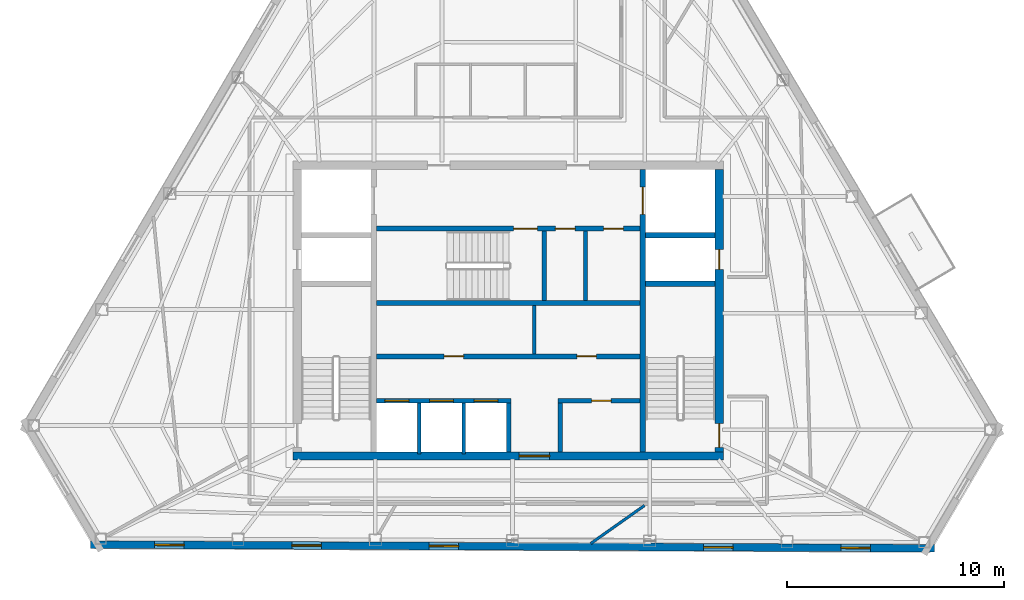
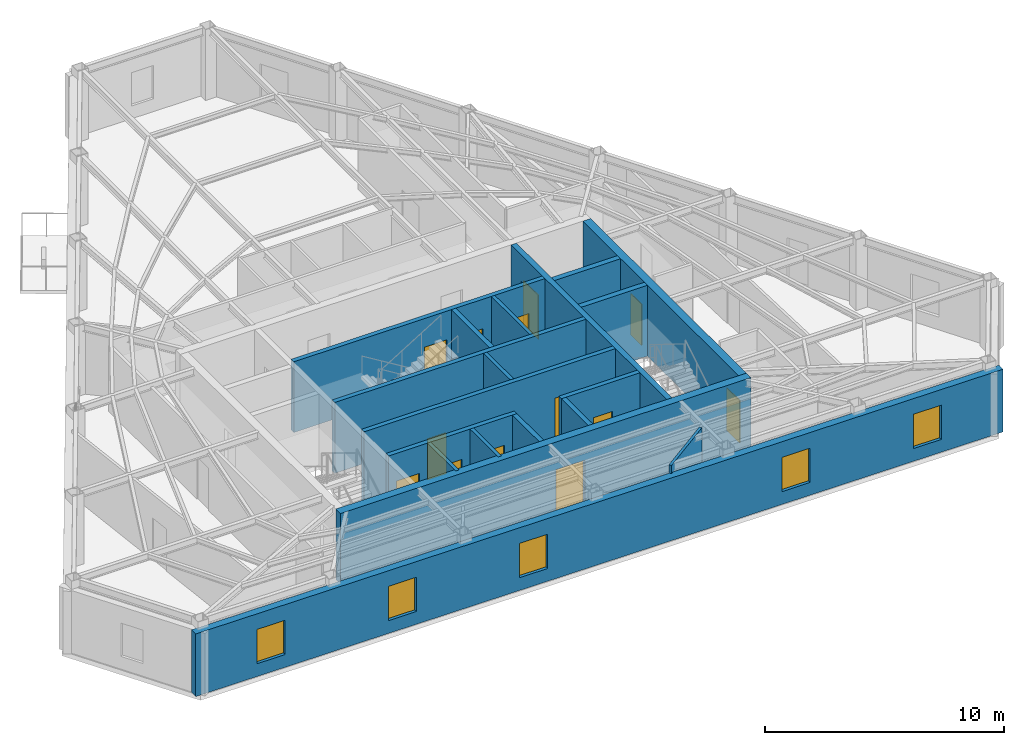
# One storey, part 5 of 9: 19 walls, 13 doors, 5 windows, 18 openings.
"""IFC4 building model written with IfcOpenShell, lengths in metres."""

from ifc_helpers import new_model, si_unit, direction, frame, frame_2d, origin, place, context, subcontext, project, spatial, rectangle, extrude, material, layer, layer_set, type_object, element, fill, save


model = new_model("IFC4")

# Units and contexts
model_context = context("Model", 3, precision=1e-05, world=origin(), true_north=direction((0.0, 1.0)))
body_context = subcontext(model_context, "Body", "Model", "MODEL_VIEW")
ifc_project = project(units=[si_unit("LENGTHUNIT", "METRE"), si_unit("AREAUNIT", "SQUARE_METRE"), si_unit("VOLUMEUNIT", "CUBIC_METRE"), si_unit("PLANEANGLEUNIT", "RADIAN"), si_unit("MASSUNIT", "GRAM", prefix="KILO")], contexts=[model_context])

# Site, building, storey
site_placement = place(None, origin())
site = spatial("IfcSite", under=ifc_project, at=site_placement, CompositionType="ELEMENT")
building_placement = place(site_placement, origin())
building = spatial("IfcBuilding", under=site, at=building_placement, Name="Kavelnor Concourse Tower", CompositionType="ELEMENT")
storey_placement = place(building_placement, frame((0.0, 0.0, 270.300048828125)))
storey = spatial("IfcBuildingStorey", under=building, at=storey_placement, Name="L68", CompositionType="ELEMENT", Elevation=270.300048828125)

# Wall, opening, door
ifc_material_1 = material(Name="Concrete C50/60", Category="concrete")
ifc_layer_1 = layer(ifc_material_1, 0.3798828125, Name="Concrete C50/60")
ifc_layer_set_1 = layer_set([ifc_layer_1], Name="Concrete C50/60")
wall_type_1 = type_object("IfcWallType", Name="WL-CORE-Z4-380", PredefinedType="SOLIDWALL", material=ifc_layer_set_1)
wall_1_placement = place(storey_placement, frame((28.10009765625, 9.409912109375, 0.0), z_axis=(0.0, 0.0, 1.0), x_axis=(1.0, 0.0, 0.0)))
wall_1 = element("IfcWall", 1, at=wall_1_placement, inside=storey, type_object=wall_type_1, Name="L68 Central Core South Shear Wall", PredefinedType="SOLIDWALL", context=body_context, shape_type="SweptSolid", body=[
    extrude(rectangle(XDim=19.7998046875, YDim=0.3798828125, at=frame_2d((9.89990234375, 0.0))), origin(), (0.0, 0.0, 1.0), 3.60986328125),
])
opening_1_placement = place(wall_1_placement, frame((10.39990234375, 0.0, 0.0)))
opening_1 = element("IfcOpeningElement", 2, at=opening_1_placement, cuts=wall_1, Name="Opening SD-140", PredefinedType="OPENING", context=body_context, shape_type="SweptSolid", body=[
    extrude(rectangle(XDim=1.39990234375, YDim=2.199951171875, at=frame_2d((0.699951171875, 1.10009765625))), frame((0.0, 0.199951171875, 0.0), z_axis=(0.0, -1.0, 0.0), x_axis=(1.0, 0.0, 0.0)), (0.0, 0.0, 1.0), 0.39990234375),
])
ifc_material_2 = material(Name="Solid-core hardwood timber", Category="wood")
door_type_1 = type_object("IfcDoorType", Name="DR-SUITE-ENTRY-1400", OperationType="NOTDEFINED", PredefinedType="DOOR", material=ifc_material_2)
door_1_placement = place(opening_1_placement, origin())
door_1 = element("IfcDoor", 3, at=door_1_placement, inside=storey, type_object=door_type_1, Name="L68 Passenger Lift Lobby Entry Door", OperationType="SINGLE_SWING_LEFT", OverallHeight=2.199951171875, OverallWidth=1.39990234375, PredefinedType="DOOR", context=body_context, shape_type="SweptSolid", body=[
    extrude(rectangle(XDim=1.39990234375, YDim=2.199951171875, at=frame_2d((0.699951171875, 1.10009765625))), frame((0.0, 0.02490234375, 0.0), z_axis=(0.0, -1.0, 0.0), x_axis=(1.0, 0.0, 0.0)), (0.0, 0.0, 1.0), 0.050048828125),
])
fill(opening_1, door_1)

# Wall, openings, doors
wall_2_placement = place(storey_placement, frame((47.7099609375, 9.60009765625, 0.0), z_axis=(0.0, 0.0, 1.0), x_axis=(0.0, 1.0, 0.0)))
wall_2 = element("IfcWall", 4, at=wall_2_placement, inside=storey, type_object=wall_type_1, Name="L68 Central Core East Shear Wall", PredefinedType="SOLIDWALL", context=body_context, shape_type="SweptSolid", body=[
    extrude(rectangle(XDim=13.0, YDim=0.3798828125, at=frame_2d((6.5, 0.0))), origin(), (0.0, 0.0, 1.0), 3.60986328125),
])
opening_2_placement = place(wall_2_placement, frame((0.199951171875, 0.0, 0.0)))
opening_2 = element("IfcOpeningElement", 5, at=opening_2_placement, cuts=wall_2, Name="Opening FD-110", PredefinedType="OPENING", context=body_context, shape_type="SweptSolid", body=[
    extrude(rectangle(XDim=1.10009765625, YDim=2.14990234375, at=frame_2d((0.550048828125, 1.074951171875))), frame((0.0, 0.199951171875, 0.0), z_axis=(0.0, -1.0, 0.0), x_axis=(1.0, 0.0, 0.0)), (0.0, 0.0, 1.0), 0.39990234375),
])
opening_3_placement = place(wall_2_placement, frame((8.39990234375, 0.0, 0.0)))
opening_3 = element("IfcOpeningElement", 6, at=opening_3_placement, cuts=wall_2, Name="Opening FD-090", PredefinedType="OPENING", context=body_context, shape_type="SweptSolid", body=[
    extrude(rectangle(XDim=0.89990234375, YDim=2.10009765625, at=frame_2d((0.449951171875, 1.050048828125))), frame((0.0, 0.199951171875, 0.0), z_axis=(0.0, -1.0, 0.0), x_axis=(1.0, 0.0, 0.0)), (0.0, 0.0, 1.0), 0.39990234375),
])
ifc_material_3 = material(Name="Steel Grade 350", Category="steel")
door_type_2 = type_object("IfcDoorType", Name="DR-RISER-FIRE-900", OperationType="NOTDEFINED", PredefinedType="DOOR", material=ifc_material_3)
door_2_placement = place(opening_3_placement, origin())
door_2 = element("IfcDoor", 7, at=door_2_placement, inside=storey, type_object=door_type_2, Name="L68 East Riser Access Door", OperationType="SINGLE_SWING_LEFT", OverallHeight=2.10009765625, OverallWidth=0.89990234375, PredefinedType="DOOR", context=body_context, shape_type="SweptSolid", body=[
    extrude(rectangle(XDim=0.89990234375, YDim=2.10009765625, at=frame_2d((0.449951171875, 1.050048828125))), frame((0.0, 0.02490234375, 0.0), z_axis=(0.0, -1.0, 0.0), x_axis=(1.0, 0.0, 0.0)), (0.0, 0.0, 1.0), 0.050048828125),
])
fill(opening_3, door_2)
door_type_3 = type_object("IfcDoorType", Name="DR-STAIR-FIRE-1100", OperationType="NOTDEFINED", PredefinedType="DOOR", material=ifc_material_3)
door_3_placement = place(opening_2_placement, origin())
door_3 = element("IfcDoor", 8, at=door_3_placement, inside=storey, type_object=door_type_3, Name="L68 Stair ST2 Fire Door", OperationType="SINGLE_SWING_RIGHT", OverallHeight=2.14990234375, OverallWidth=1.10009765625, PredefinedType="DOOR", context=body_context, shape_type="SweptSolid", body=[
    extrude(rectangle(XDim=1.10009765625, YDim=2.14990234375, at=frame_2d((0.550048828125, 1.074951171875))), frame((0.0, 0.02490234375, 0.0), z_axis=(0.0, -1.0, 0.0), x_axis=(1.0, 0.0, 0.0)), (0.0, 0.0, 1.0), 0.050048828125),
])
fill(opening_2, door_3)

# Wall, openings, windows
ifc_material_4 = material(Name="Red-ochre clay face brick masonry", Category="masonry")
ifc_layer_2 = layer(ifc_material_4, 0.35009765625, Name="Red-ochre clay face brick masonry")
ifc_layer_set_2 = layer_set([ifc_layer_2], Name="Red-ochre clay face brick masonry")
wall_type_2 = type_object("IfcWallType", Name="WL-EXT-RED-BRICK-PIER-350", PredefinedType="STANDARD", material=ifc_layer_set_2)
wall_3_placement = place(storey_placement, frame((57.61279296875, 5.165283203125, 0.0), z_axis=(0.0, 0.0, 1.0), x_axis=(-0.99999050908, 0.004356805123, 0.0)))
wall_3 = element("IfcWall", 9, at=wall_3_placement, inside=storey, type_object=wall_type_2, Name="L68 Exterior Brick Facade Wall E3", PredefinedType="STANDARD", context=body_context, shape_type="SweptSolid", body=[
    extrude(rectangle(XDim=38.83349609375, YDim=0.35009765625, at=frame_2d((19.416748046875, 0.0))), origin(), (0.0, 0.0, 1.0), 3.196044921875),
])
opening_4_placement = place(wall_3_placement, frame((34.529296875, 0.0, 0.64990234375)))
opening_4 = element("IfcOpeningElement", 10, at=opening_4_placement, cuts=wall_3, Name="Opening W-04", PredefinedType="OPENING", context=body_context, shape_type="SweptSolid", body=[
    extrude(rectangle(XDim=1.35009765625, YDim=1.75, at=frame_2d((0.675048828125, 0.875))), frame((0.0, 0.18505859375, 0.0), z_axis=(0.0, -1.0, 0.0), x_axis=(1.0, 0.0, 0.0)), (0.0, 0.0, 1.0), 0.3701171875),
])
opening_5_placement = place(wall_3_placement, frame((28.215087890625, 0.0, 0.64990234375)))
opening_5 = element("IfcOpeningElement", 11, at=opening_5_placement, cuts=wall_3, Name="Opening W-04", PredefinedType="OPENING", context=body_context, shape_type="SweptSolid", body=[
    extrude(rectangle(XDim=1.35009765625, YDim=1.75, at=frame_2d((0.675048828125, 0.875))), frame((0.0, 0.18505859375, 0.0), z_axis=(0.0, -1.0, 0.0), x_axis=(1.0, 0.0, 0.0)), (0.0, 0.0, 1.0), 0.3701171875),
])
opening_6_placement = place(wall_3_placement, frame((21.90087890625, 0.0, 0.64990234375)))
opening_6 = element("IfcOpeningElement", 12, at=opening_6_placement, cuts=wall_3, Name="Opening W-04", PredefinedType="OPENING", context=body_context, shape_type="SweptSolid", body=[
    extrude(rectangle(XDim=1.35009765625, YDim=1.75, at=frame_2d((0.675048828125, 0.875))), frame((0.0, 0.18505859375, 0.0), z_axis=(0.0, -1.0, 0.0), x_axis=(1.0, 0.0, 0.0)), (0.0, 0.0, 1.0), 0.3701171875),
])
opening_7_placement = place(wall_3_placement, frame((9.2724609375, 0.0, 0.64990234375)))
opening_7 = element("IfcOpeningElement", 13, at=opening_7_placement, cuts=wall_3, Name="Opening W-04", PredefinedType="OPENING", context=body_context, shape_type="SweptSolid", body=[
    extrude(rectangle(XDim=1.35009765625, YDim=1.75, at=frame_2d((0.675048828125, 0.875))), frame((0.0, 0.18505859375, 0.0), z_axis=(0.0, -1.0, 0.0), x_axis=(1.0, 0.0, 0.0)), (0.0, 0.0, 1.0), 0.3701171875),
])
opening_8_placement = place(wall_3_placement, frame((2.95849609375, 0.0, 0.64990234375)))
opening_8 = element("IfcOpeningElement", 14, at=opening_8_placement, cuts=wall_3, Name="Opening W-04", PredefinedType="OPENING", context=body_context, shape_type="SweptSolid", body=[
    extrude(rectangle(XDim=1.35009765625, YDim=1.75, at=frame_2d((0.675048828125, 0.875))), frame((0.0, 0.18505859375, 0.0), z_axis=(0.0, -1.0, 0.0), x_axis=(1.0, 0.0, 0.0)), (0.0, 0.0, 1.0), 0.3701171875),
])
ifc_material_5 = material(Name="Double low-E argon insulated glazing", Category="glass")
window_type = type_object("IfcWindowType", Name="WIN-PIER-Z4-1350", PartitioningType="SINGLE_PANEL", PredefinedType="WINDOW", material=ifc_material_5)
window_1_placement = place(opening_4_placement, origin())
window_1 = element("IfcWindow", 15, at=window_1_placement, inside=storey, type_object=window_type, Name="L68 Deep-Set Brick Pier Window F1-B0", OverallHeight=1.75, OverallWidth=1.35009765625, PartitioningType="SINGLE_PANEL", PredefinedType="WINDOW", context=body_context, shape_type="SweptSolid", body=[
    extrude(rectangle(XDim=1.35009765625, YDim=1.75, at=frame_2d((0.675048828125, 0.875))), frame((0.0, 0.030029296875, 0.0), z_axis=(0.0, -1.0, 0.0), x_axis=(1.0, 0.0, 0.0)), (0.0, 0.0, 1.0), 0.06005859375),
])
fill(opening_4, window_1)
window_2_placement = place(opening_5_placement, origin())
window_2 = element("IfcWindow", 16, at=window_2_placement, inside=storey, type_object=window_type, Name="L68 Deep-Set Brick Pier Window F1-B1", OverallHeight=1.75, OverallWidth=1.35009765625, PartitioningType="SINGLE_PANEL", PredefinedType="WINDOW", context=body_context, shape_type="SweptSolid", body=[
    extrude(rectangle(XDim=1.35009765625, YDim=1.75, at=frame_2d((0.675048828125, 0.875))), frame((0.0, 0.030029296875, 0.0), z_axis=(0.0, -1.0, 0.0), x_axis=(1.0, 0.0, 0.0)), (0.0, 0.0, 1.0), 0.06005859375),
])
fill(opening_5, window_2)
window_3_placement = place(opening_6_placement, origin())
window_3 = element("IfcWindow", 17, at=window_3_placement, inside=storey, type_object=window_type, Name="L68 Deep-Set Brick Pier Window F1-B2", OverallHeight=1.75, OverallWidth=1.35009765625, PartitioningType="SINGLE_PANEL", PredefinedType="WINDOW", context=body_context, shape_type="SweptSolid", body=[
    extrude(rectangle(XDim=1.35009765625, YDim=1.75, at=frame_2d((0.675048828125, 0.875))), frame((0.0, 0.030029296875, 0.0), z_axis=(0.0, -1.0, 0.0), x_axis=(1.0, 0.0, 0.0)), (0.0, 0.0, 1.0), 0.06005859375),
])
fill(opening_6, window_3)
window_4_placement = place(opening_7_placement, origin())
window_4 = element("IfcWindow", 18, at=window_4_placement, inside=storey, type_object=window_type, Name="L68 Deep-Set Brick Pier Window F1-B4", OverallHeight=1.75, OverallWidth=1.35009765625, PartitioningType="SINGLE_PANEL", PredefinedType="WINDOW", context=body_context, shape_type="SweptSolid", body=[
    extrude(rectangle(XDim=1.35009765625, YDim=1.75, at=frame_2d((0.675048828125, 0.875))), frame((0.0, 0.030029296875, 0.0), z_axis=(0.0, -1.0, 0.0), x_axis=(1.0, 0.0, 0.0)), (0.0, 0.0, 1.0), 0.06005859375),
])
fill(opening_7, window_4)
window_5_placement = place(opening_8_placement, origin())
window_5 = element("IfcWindow", 19, at=window_5_placement, inside=storey, type_object=window_type, Name="L68 Deep-Set Brick Pier Window F1-B5", OverallHeight=1.75, OverallWidth=1.35009765625, PartitioningType="SINGLE_PANEL", PredefinedType="WINDOW", context=body_context, shape_type="SweptSolid", body=[
    extrude(rectangle(XDim=1.35009765625, YDim=1.75, at=frame_2d((0.675048828125, 0.875))), frame((0.0, 0.030029296875, 0.0), z_axis=(0.0, -1.0, 0.0), x_axis=(1.0, 0.0, 0.0)), (0.0, 0.0, 1.0), 0.06005859375),
])
fill(opening_8, window_5)

# Walls
ifc_material_6 = material(Name="Gypsum plasterboard on light-gauge steel studs", Category="steel")
ifc_layer_3 = layer(ifc_material_6, 0.1650390625, Name="Gypsum plasterboard on light-gauge steel studs")
ifc_layer_set_3 = layer_set([ifc_layer_3], Name="Gypsum plasterboard on light-gauge steel studs")
wall_type_3 = type_object("IfcWallType", Name="WL-INT-FIRE-165", PredefinedType="PARTITIONING", material=ifc_layer_set_3)
for number, where, z_axis, x_axis, name in (
    (20, (33.89990234375, 9.489990234375, 0.0), (0.0, 0.0, 1.0), (0.0, 1.0, 0.0), "L68 Lift Shaft Divider LP7"),
    (21, (35.949951171875, 9.489990234375, 0.0), (0.0, 0.0, 1.0), (0.0, 1.0, 0.0), "L68 Lift Shaft Divider LP8"),
):
    element("IfcWall", number, at=place(storey_placement, frame(where, z_axis=z_axis, x_axis=x_axis)), inside=storey, type_object=wall_type_3, Name=name, PredefinedType="PARTITIONING", context=body_context, shape_type="SweptSolid", body=[
        extrude(rectangle(XDim=2.35009765625, YDim=0.1650390625, at=frame_2d((1.175048828125, 0.0))), origin(), (0.0, 0.0, 1.0), 3.60986328125),
    ])
wall_4_placement = place(storey_placement, frame((39.199951171875, 14.10009765625, 0.0), z_axis=(0.0, 0.0, 1.0), x_axis=(0.0, 1.0, 0.0)))
element("IfcWall", 22, at=wall_4_placement, inside=storey, type_object=wall_type_3, Name="L68 Reclaimed Core Partition C", PredefinedType="PARTITIONING", context=body_context, shape_type="SweptSolid", body=[
    extrude(rectangle(XDim=2.239990234375, YDim=0.1650390625, at=frame_2d((1.1201171875, 0.0))), origin(), (0.0, 0.0, 1.0), 3.60986328125),
])
wall_5_placement = place(storey_placement, frame((41.550048828125, 16.56005859375, 0.0), z_axis=(0.0, 0.0, 1.0), x_axis=(0.0, 1.0, 0.0)))
element("IfcWall", 23, at=wall_5_placement, inside=storey, type_object=wall_type_3, Name="L68 Core North Support Divider", PredefinedType="PARTITIONING", context=body_context, shape_type="SweptSolid", body=[
    extrude(rectangle(XDim=3.199951171875, YDim=0.1650390625, at=frame_2d((1.60009765625, 0.0))), origin(), (0.0, 0.0, 1.0), 3.60986328125),
])
ifc_layer_4 = layer(ifc_material_6, 0.125, Name="Gypsum plasterboard on light-gauge steel studs")
ifc_layer_set_4 = layer_set([ifc_layer_4], Name="Gypsum plasterboard on light-gauge steel studs")
wall_type_4 = type_object("IfcWallType", Name="WL-INT-SUITE-125", PredefinedType="PARTITIONING", material=ifc_layer_set_4)
wall_6_placement = place(storey_placement, frame((41.79541015625, 5.38427734375, 0.0), z_axis=(0.0, 0.0, 1.0), x_axis=(0.816663444244, 0.577114216456, 0.0)))
element("IfcWall", 24, at=wall_6_placement, inside=storey, type_object=wall_type_4, Name="L68 Suite Subdivision Partition 05", PredefinedType="PARTITIONING", context=body_context, shape_type="SweptSolid", body=[
    extrude(rectangle(XDim=3.02392578125, YDim=0.125, at=frame_2d((1.511962890625, 0.0))), origin(), (0.0, 0.0, 1.0), 3.60986328125),
])

# Wall, openings, doors
ifc_layer_5 = layer(ifc_material_1, 0.219970703125, Name="Concrete C50/60")
ifc_layer_set_5 = layer_set([ifc_layer_5], Name="Concrete C50/60")
wall_type_5 = type_object("IfcWallType", Name="WL-SHAFT-220", PredefinedType="SOLIDWALL", material=ifc_layer_set_5)
wall_7_placement = place(storey_placement, frame((31.93994140625, 19.8701171875, 0.0), z_axis=(0.0, 0.0, 1.0), x_axis=(1.0, 0.0, 0.0)))
wall_7 = element("IfcWall", 25, at=wall_7_placement, inside=storey, type_object=wall_type_5, Name="L68 Emergency Lift Lobby South Wall", PredefinedType="SOLIDWALL", context=body_context, shape_type="SweptSolid", body=[
    extrude(rectangle(XDim=12.1201171875, YDim=0.219970703125, at=frame_2d((6.06005859375, 0.0))), origin(), (0.0, 0.0, 1.0), 3.60986328125),
])
opening_9_placement = place(wall_7_placement, frame((6.300048828125, 0.0, 0.0)))
opening_9 = element("IfcOpeningElement", 26, at=opening_9_placement, cuts=wall_7, Name="Opening FD-110", PredefinedType="OPENING", context=body_context, shape_type="SweptSolid", body=[
    extrude(rectangle(XDim=1.10009765625, YDim=2.14990234375, at=frame_2d((0.550048828125, 1.074951171875))), frame((0.0, 0.1201171875, 0.0), z_axis=(0.0, -1.0, 0.0), x_axis=(1.0, 0.0, 0.0)), (0.0, 0.0, 1.0), 0.239990234375),
])
opening_10_placement = place(wall_7_placement, frame((8.22998046875, 0.0, 0.0)))
opening_10 = element("IfcOpeningElement", 27, at=opening_10_placement, cuts=wall_7, Name="Opening FD-090", PredefinedType="OPENING", context=body_context, shape_type="SweptSolid", body=[
    extrude(rectangle(XDim=0.89990234375, YDim=2.10009765625, at=frame_2d((0.449951171875, 1.050048828125))), frame((0.0, 0.1201171875, 0.0), z_axis=(0.0, -1.0, 0.0), x_axis=(1.0, 0.0, 0.0)), (0.0, 0.0, 1.0), 0.239990234375),
])
opening_11_placement = place(wall_7_placement, frame((10.449951171875, 0.0, 0.0)))
opening_11 = element("IfcOpeningElement", 28, at=opening_11_placement, cuts=wall_7, Name="Opening FD-090", PredefinedType="OPENING", context=body_context, shape_type="SweptSolid", body=[
    extrude(rectangle(XDim=0.89990234375, YDim=2.10009765625, at=frame_2d((0.449951171875, 1.050048828125))), frame((0.0, 0.1201171875, 0.0), z_axis=(0.0, -1.0, 0.0), x_axis=(1.0, 0.0, 0.0)), (0.0, 0.0, 1.0), 0.239990234375),
])
door_4_placement = place(opening_10_placement, origin())
door_4 = element("IfcDoor", 29, at=door_4_placement, inside=storey, type_object=door_type_2, Name="L68 Telecom Room Door", OperationType="SINGLE_SWING_LEFT", OverallHeight=2.10009765625, OverallWidth=0.89990234375, PredefinedType="DOOR", context=body_context, shape_type="SweptSolid", body=[
    extrude(rectangle(XDim=0.89990234375, YDim=2.10009765625, at=frame_2d((0.449951171875, 1.050048828125))), frame((0.0, 0.02490234375, 0.0), z_axis=(0.0, -1.0, 0.0), x_axis=(1.0, 0.0, 0.0)), (0.0, 0.0, 1.0), 0.050048828125),
])
fill(opening_10, door_4)
door_5_placement = place(opening_11_placement, origin())
door_5 = element("IfcDoor", 30, at=door_5_placement, inside=storey, type_object=door_type_2, Name="L68 Janitor Store Door", OperationType="SINGLE_SWING_RIGHT", OverallHeight=2.10009765625, OverallWidth=0.89990234375, PredefinedType="DOOR", context=body_context, shape_type="SweptSolid", body=[
    extrude(rectangle(XDim=0.89990234375, YDim=2.10009765625, at=frame_2d((0.449951171875, 1.050048828125))), frame((0.0, 0.02490234375, 0.0), z_axis=(0.0, -1.0, 0.0), x_axis=(1.0, 0.0, 0.0)), (0.0, 0.0, 1.0), 0.050048828125),
])
fill(opening_11, door_5)
door_6_placement = place(opening_9_placement, origin())
door_6 = element("IfcDoor", 31, at=door_6_placement, inside=storey, type_object=door_type_3, Name="L68 Stair ST3 Fire Door", OperationType="SINGLE_SWING_LEFT", OverallHeight=2.14990234375, OverallWidth=1.10009765625, PredefinedType="DOOR", context=body_context, shape_type="SweptSolid", body=[
    extrude(rectangle(XDim=1.10009765625, YDim=2.14990234375, at=frame_2d((0.550048828125, 1.074951171875))), frame((0.0, 0.02490234375, 0.0), z_axis=(0.0, -1.0, 0.0), x_axis=(1.0, 0.0, 0.0)), (0.0, 0.0, 1.0), 0.050048828125),
])
fill(opening_9, door_6)

# Walls
wall_8_placement = place(storey_placement, frame((31.93994140625, 16.449951171875, 0.0), z_axis=(0.0, 0.0, 1.0), x_axis=(1.0, 0.0, 0.0)))
element("IfcWall", 32, at=wall_8_placement, inside=storey, type_object=wall_type_5, Name="L68 Stair ST3 South Core Wall", PredefinedType="SOLIDWALL", context=body_context, shape_type="SweptSolid", body=[
    extrude(rectangle(XDim=12.1201171875, YDim=0.219970703125, at=frame_2d((6.06005859375, 0.0))), origin(), (0.0, 0.0, 1.0), 3.60986328125),
])
wall_9_placement = place(storey_placement, frame((39.64990234375, 16.56005859375, 0.0), z_axis=(0.0, 0.0, 1.0), x_axis=(0.0, 1.0, 0.0)))
element("IfcWall", 33, at=wall_9_placement, inside=storey, type_object=wall_type_5, Name="L68 Stair ST3 East Core Wall", PredefinedType="SOLIDWALL", context=body_context, shape_type="SweptSolid", body=[
    extrude(rectangle(XDim=3.199951171875, YDim=0.219970703125, at=frame_2d((1.60009765625, 0.0))), origin(), (0.0, 0.0, 1.0), 3.60986328125),
])

# Wall, openings, doors
wall_10_placement = place(storey_placement, frame((31.93994140625, 13.989990234375, 0.0), z_axis=(0.0, 0.0, 1.0), x_axis=(1.0, 0.0, 0.0)))
wall_10 = element("IfcWall", 34, at=wall_10_placement, inside=storey, type_object=wall_type_5, Name="L68 North Lift Row Shaft Wall", PredefinedType="SOLIDWALL", context=body_context, shape_type="SweptSolid", body=[
    extrude(rectangle(XDim=12.1201171875, YDim=0.219970703125, at=frame_2d((6.06005859375, 0.0))), origin(), (0.0, 0.0, 1.0), 3.60986328125),
])
opening_12_placement = place(wall_10_placement, frame((3.110107421875, 0.0, 0.0)))
opening_12 = element("IfcOpeningElement", 35, at=opening_12_placement, cuts=wall_10, Name="Opening FD-090", PredefinedType="OPENING", context=body_context, shape_type="SweptSolid", body=[
    extrude(rectangle(XDim=0.89990234375, YDim=2.10009765625, at=frame_2d((0.449951171875, 1.050048828125))), frame((0.0, 0.1201171875, 0.0), z_axis=(0.0, -1.0, 0.0), x_axis=(1.0, 0.0, 0.0)), (0.0, 0.0, 1.0), 0.239990234375),
])
opening_13_placement = place(wall_10_placement, frame((9.2099609375, 0.0, 0.0)))
opening_13 = element("IfcOpeningElement", 36, at=opening_13_placement, cuts=wall_10, Name="Opening FD-090", PredefinedType="OPENING", context=body_context, shape_type="SweptSolid", body=[
    extrude(rectangle(XDim=0.89990234375, YDim=2.10009765625, at=frame_2d((0.449951171875, 1.050048828125))), frame((0.0, 0.1201171875, 0.0), z_axis=(0.0, -1.0, 0.0), x_axis=(1.0, 0.0, 0.0)), (0.0, 0.0, 1.0), 0.239990234375),
])
door_7_placement = place(opening_12_placement, origin())
door_7 = element("IfcDoor", 37, at=door_7_placement, inside=storey, type_object=door_type_2, Name="L68 Lounge Pantry Door", OperationType="SINGLE_SWING_LEFT", OverallHeight=2.10009765625, OverallWidth=0.89990234375, PredefinedType="DOOR", context=body_context, shape_type="SweptSolid", body=[
    extrude(rectangle(XDim=0.89990234375, YDim=2.10009765625, at=frame_2d((0.449951171875, 1.050048828125))), frame((0.0, 0.02490234375, 0.0), z_axis=(0.0, -1.0, 0.0), x_axis=(1.0, 0.0, 0.0)), (0.0, 0.0, 1.0), 0.050048828125),
])
fill(opening_12, door_7)
door_8_placement = place(opening_13_placement, origin())
door_8 = element("IfcDoor", 38, at=door_8_placement, inside=storey, type_object=door_type_2, Name="L68 Facilities Store Door", OperationType="SINGLE_SWING_RIGHT", OverallHeight=2.10009765625, OverallWidth=0.89990234375, PredefinedType="DOOR", context=body_context, shape_type="SweptSolid", body=[
    extrude(rectangle(XDim=0.89990234375, YDim=2.10009765625, at=frame_2d((0.449951171875, 1.050048828125))), frame((0.0, 0.02490234375, 0.0), z_axis=(0.0, -1.0, 0.0), x_axis=(1.0, 0.0, 0.0)), (0.0, 0.0, 1.0), 0.050048828125),
])
fill(opening_13, door_8)

wall_11_placement = place(storey_placement, frame((31.93994140625, 11.949951171875, 0.0), z_axis=(0.0, 0.0, 1.0), x_axis=(1.0, 0.0, 0.0)))
wall_11 = element("IfcWall", 39, at=wall_11_placement, inside=storey, type_object=wall_type_5, Name="L68 High-Rise Lift Bank North Wall", PredefinedType="SOLIDWALL", context=body_context, shape_type="SweptSolid", body=[
    extrude(rectangle(XDim=6.18994140625, YDim=0.219970703125, at=frame_2d((3.094970703125, 0.0))), origin(), (0.0, 0.0, 1.0), 3.60986328125),
])
opening_14_placement = place(wall_11_placement, frame((0.385009765625, 0.0, 0.0)))
opening_14 = element("IfcOpeningElement", 40, at=opening_14_placement, cuts=wall_11, Name="Opening LD-110", PredefinedType="OPENING", context=body_context, shape_type="SweptSolid", body=[
    extrude(rectangle(XDim=1.10009765625, YDim=2.199951171875, at=frame_2d((0.550048828125, 1.10009765625))), frame((0.0, 0.1201171875, 0.0), z_axis=(0.0, -1.0, 0.0), x_axis=(1.0, 0.0, 0.0)), (0.0, 0.0, 1.0), 0.239990234375),
])
opening_15_placement = place(wall_11_placement, frame((2.43505859375, 0.0, 0.0)))
opening_15 = element("IfcOpeningElement", 41, at=opening_15_placement, cuts=wall_11, Name="Opening LD-110", PredefinedType="OPENING", context=body_context, shape_type="SweptSolid", body=[
    extrude(rectangle(XDim=1.10009765625, YDim=2.199951171875, at=frame_2d((0.550048828125, 1.10009765625))), frame((0.0, 0.1201171875, 0.0), z_axis=(0.0, -1.0, 0.0), x_axis=(1.0, 0.0, 0.0)), (0.0, 0.0, 1.0), 0.239990234375),
])
opening_16_placement = place(wall_11_placement, frame((4.485107421875, 0.0, 0.0)))
opening_16 = element("IfcOpeningElement", 42, at=opening_16_placement, cuts=wall_11, Name="Opening LD-110", PredefinedType="OPENING", context=body_context, shape_type="SweptSolid", body=[
    extrude(rectangle(XDim=1.10009765625, YDim=2.199951171875, at=frame_2d((0.550048828125, 1.10009765625))), frame((0.0, 0.1201171875, 0.0), z_axis=(0.0, -1.0, 0.0), x_axis=(1.0, 0.0, 0.0)), (0.0, 0.0, 1.0), 0.239990234375),
])
door_type_4 = type_object("IfcDoorType", Name="DR-LIFT-SLIDING-1100", OperationType="NOTDEFINED", PredefinedType="DOOR", material=ifc_material_3)
door_9_placement = place(opening_14_placement, origin())
door_9 = element("IfcDoor", 43, at=door_9_placement, inside=storey, type_object=door_type_4, Name="L68 Lift LP7 Landing Door", OperationType="DOUBLE_DOOR_SLIDING", OverallHeight=2.199951171875, OverallWidth=1.10009765625, PredefinedType="DOOR", context=body_context, shape_type="SweptSolid", body=[
    extrude(rectangle(XDim=1.10009765625, YDim=2.199951171875, at=frame_2d((0.550048828125, 1.10009765625))), frame((0.0, 0.02490234375, 0.0), z_axis=(0.0, -1.0, 0.0), x_axis=(1.0, 0.0, 0.0)), (0.0, 0.0, 1.0), 0.050048828125),
])
fill(opening_14, door_9)
door_10_placement = place(opening_15_placement, origin())
door_10 = element("IfcDoor", 44, at=door_10_placement, inside=storey, type_object=door_type_4, Name="L68 Lift LP8 Landing Door", OperationType="DOUBLE_DOOR_SLIDING", OverallHeight=2.199951171875, OverallWidth=1.10009765625, PredefinedType="DOOR", context=body_context, shape_type="SweptSolid", body=[
    extrude(rectangle(XDim=1.10009765625, YDim=2.199951171875, at=frame_2d((0.550048828125, 1.10009765625))), frame((0.0, 0.02490234375, 0.0), z_axis=(0.0, -1.0, 0.0), x_axis=(1.0, 0.0, 0.0)), (0.0, 0.0, 1.0), 0.050048828125),
])
fill(opening_15, door_10)
door_11_placement = place(opening_16_placement, origin())
door_11 = element("IfcDoor", 45, at=door_11_placement, inside=storey, type_object=door_type_4, Name="L68 Lift LP9 Landing Door", OperationType="DOUBLE_DOOR_SLIDING", OverallHeight=2.199951171875, OverallWidth=1.10009765625, PredefinedType="DOOR", context=body_context, shape_type="SweptSolid", body=[
    extrude(rectangle(XDim=1.10009765625, YDim=2.199951171875, at=frame_2d((0.550048828125, 1.10009765625))), frame((0.0, 0.02490234375, 0.0), z_axis=(0.0, -1.0, 0.0), x_axis=(1.0, 0.0, 0.0)), (0.0, 0.0, 1.0), 0.050048828125),
])
fill(opening_16, door_11)

# Wall, opening, door
wall_12_placement = place(storey_placement, frame((40.280029296875, 11.949951171875, 0.0), z_axis=(0.0, 0.0, 1.0), x_axis=(1.0, 0.0, 0.0)))
wall_12 = element("IfcWall", 46, at=wall_12_placement, inside=storey, type_object=wall_type_5, Name="L68 Core South Support North Wall", PredefinedType="SOLIDWALL", context=body_context, shape_type="SweptSolid", body=[
    extrude(rectangle(XDim=3.780029296875, YDim=0.219970703125, at=frame_2d((1.89013671875, 0.0))), origin(), (0.0, 0.0, 1.0), 3.60986328125),
])
opening_17_placement = place(wall_12_placement, frame((1.550048828125, 0.0, 0.0)))
opening_17 = element("IfcOpeningElement", 47, at=opening_17_placement, cuts=wall_12, Name="Opening FD-090", PredefinedType="OPENING", context=body_context, shape_type="SweptSolid", body=[
    extrude(rectangle(XDim=0.89990234375, YDim=2.10009765625, at=frame_2d((0.449951171875, 1.050048828125))), frame((0.0, 0.1201171875, 0.0), z_axis=(0.0, -1.0, 0.0), x_axis=(1.0, 0.0, 0.0)), (0.0, 0.0, 1.0), 0.239990234375),
])
door_12_placement = place(opening_17_placement, origin())
door_12 = element("IfcDoor", 48, at=door_12_placement, inside=storey, type_object=door_type_2, Name="L68 BMS Metering Door", OperationType="SINGLE_SWING_RIGHT", OverallHeight=2.10009765625, OverallWidth=0.89990234375, PredefinedType="DOOR", context=body_context, shape_type="SweptSolid", body=[
    extrude(rectangle(XDim=0.89990234375, YDim=2.10009765625, at=frame_2d((0.449951171875, 1.050048828125))), frame((0.0, 0.02490234375, 0.0), z_axis=(0.0, -1.0, 0.0), x_axis=(1.0, 0.0, 0.0)), (0.0, 0.0, 1.0), 0.050048828125),
])
fill(opening_17, door_12)

# Walls
for number, where, z_axis, x_axis, name in (
    (49, (38.02001953125, 9.60009765625, 0.0), (0.0, 0.0, 1.0), (0.0, 1.0, 0.0), "L68 Lift Lobby Throat West Wall"),
    (50, (40.389892578125, 9.60009765625, 0.0), (0.0, 0.0, 1.0), (0.0, 1.0, 0.0), "L68 Lift Lobby Throat East Wall"),
):
    element("IfcWall", number, at=place(storey_placement, frame(where, z_axis=z_axis, x_axis=x_axis)), inside=storey, type_object=wall_type_5, Name=name, PredefinedType="SOLIDWALL", context=body_context, shape_type="SweptSolid", body=[
        extrude(rectangle(XDim=2.239990234375, YDim=0.219970703125, at=frame_2d((1.1201171875, 0.0))), origin(), (0.0, 0.0, 1.0), 3.60986328125),
    ])

# Wall, opening, door
ifc_layer_6 = layer(ifc_material_1, 0.260009765625, Name="Concrete C50/60")
ifc_layer_set_6 = layer_set([ifc_layer_6], Name="Concrete C50/60")
wall_type_6 = type_object("IfcWallType", Name="WL-SHAFT-260", PredefinedType="SHEAR", material=ifc_layer_set_6)
wall_13_placement = place(storey_placement, frame((44.18994140625, 9.60009765625, 0.0), z_axis=(0.0, 0.0, 1.0), x_axis=(0.0, 1.0, 0.0)))
wall_13 = element("IfcWall", 51, at=wall_13_placement, inside=storey, type_object=wall_type_6, Name="L68 Core East Wing Shear Wall", PredefinedType="SHEAR", context=body_context, shape_type="SweptSolid", body=[
    extrude(rectangle(XDim=13.0, YDim=0.260009765625, at=frame_2d((6.5, 0.0))), origin(), (0.0, 0.0, 1.0), 3.60986328125),
])
opening_18_placement = place(wall_13_placement, frame((10.925048828125, 0.0, 0.0)))
opening_18 = element("IfcOpeningElement", 52, at=opening_18_placement, cuts=wall_13, Name="Opening LD-125", PredefinedType="OPENING", context=body_context, shape_type="SweptSolid", body=[
    extrude(rectangle(XDim=1.25, YDim=2.25, at=frame_2d((0.625, 1.125))), frame((0.0, 0.14013671875, 0.0), z_axis=(0.0, -1.0, 0.0), x_axis=(1.0, 0.0, 0.0)), (0.0, 0.0, 1.0), 0.280029296875),
])
door_type_5 = type_object("IfcDoorType", Name="DR-LIFT-SLIDING-1250", OperationType="NOTDEFINED", PredefinedType="DOOR", material=ifc_material_3)
door_13_placement = place(opening_18_placement, origin())
door_13 = element("IfcDoor", 53, at=door_13_placement, inside=storey, type_object=door_type_5, Name="L68 Emergency Lift FL2 Landing Door", OperationType="DOUBLE_DOOR_SLIDING", OverallHeight=2.25, OverallWidth=1.25, PredefinedType="DOOR", context=body_context, shape_type="SweptSolid", body=[
    extrude(rectangle(XDim=1.25, YDim=2.25, at=frame_2d((0.625, 1.125))), frame((0.0, 0.02490234375, 0.0), z_axis=(0.0, -1.0, 0.0), x_axis=(1.0, 0.0, 0.0)), (0.0, 0.0, 1.0), 0.050048828125),
])
fill(opening_18, door_13)

# Walls
for number, where, z_axis, x_axis, name in (
    (54, (44.320068359375, 17.330078125, 0.0), (0.0, 0.0, 1.0), (1.0, 0.0, 0.0), "L68 Stair ST2 North Shaft Wall"),
    (55, (44.320068359375, 19.570068359375, 0.0), (0.0, 0.0, 1.0), (1.0, 0.0, 0.0), "L68 Emergency Lift FL2 South Shaft Wall"),
):
    element("IfcWall", number, at=place(storey_placement, frame(where, z_axis=z_axis, x_axis=x_axis)), inside=storey, type_object=wall_type_6, Name=name, PredefinedType="SHEAR", context=body_context, shape_type="SweptSolid", body=[
        extrude(rectangle(XDim=3.199951171875, YDim=0.260009765625, at=frame_2d((1.60009765625, 0.0))), origin(), (0.0, 0.0, 1.0), 3.60986328125),
    ])

save(model, "model.ifc")
